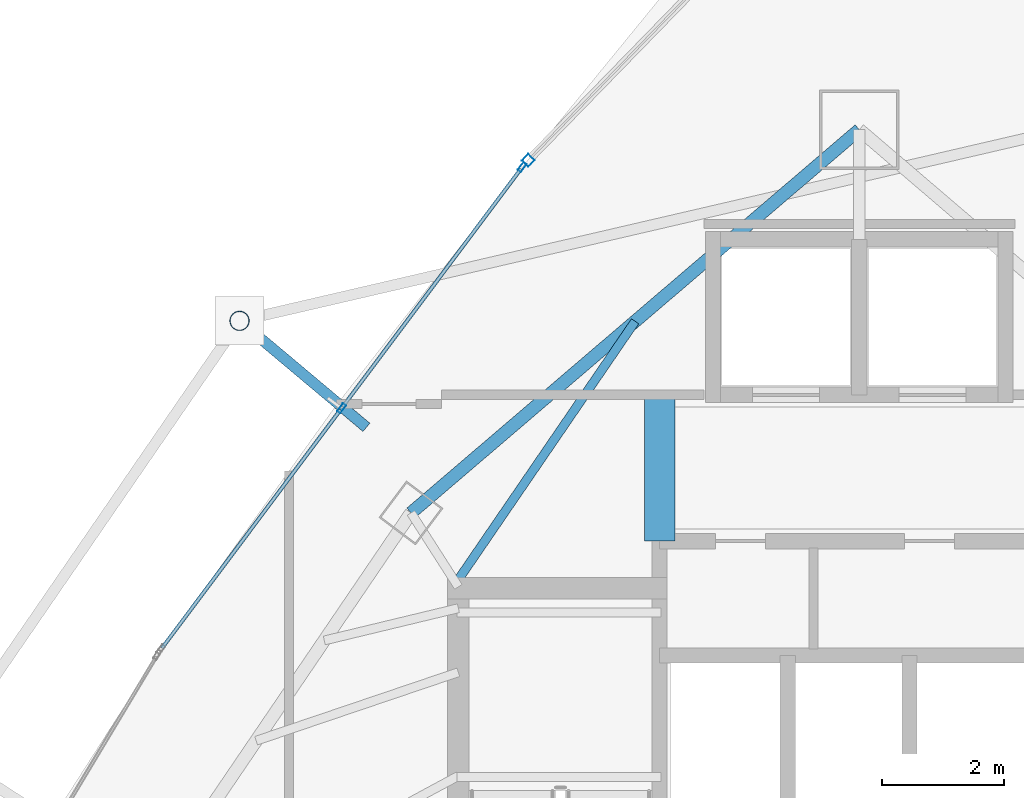
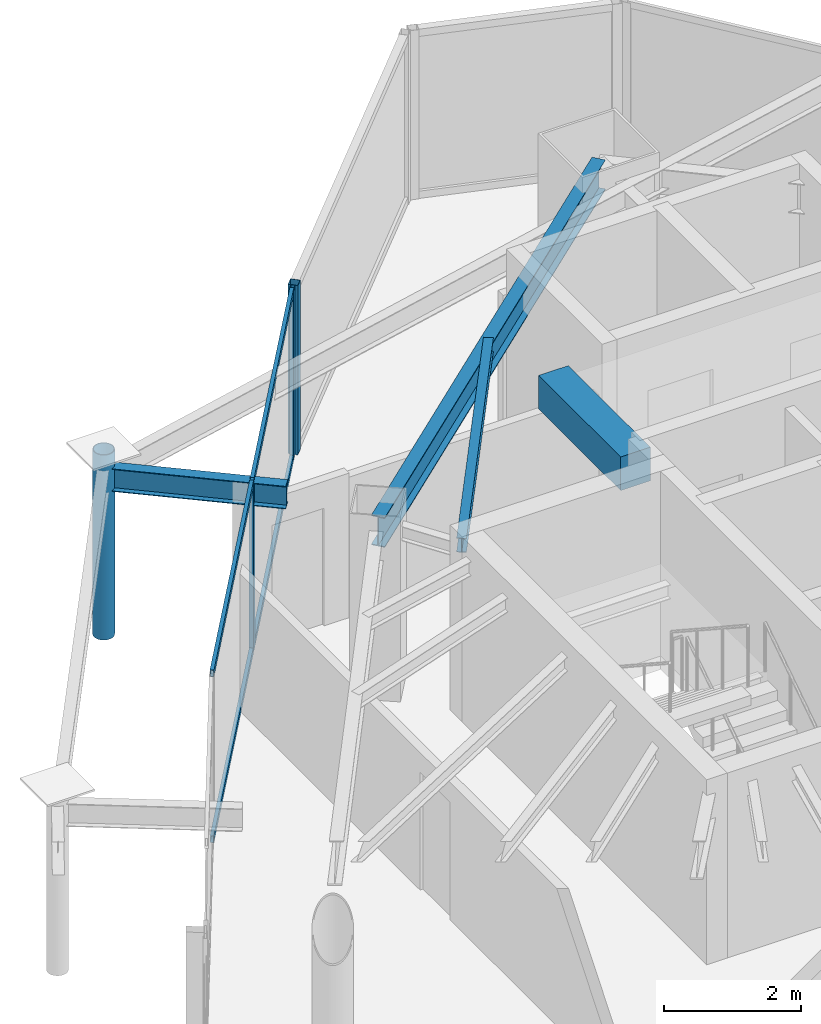
# One storey, part 21 of 30: 8 members, 4 beams, 2 elements without a shape of their own.
"""IFC4 building model written with IfcOpenShell, lengths in metres."""

from ifc_helpers import new_model, si_unit, direction, frame, origin, origin_2d, place, context, subcontext, project, spatial, rectangle, hollow_rectangle, hollow_circle, i_section, extrude, material, layer, layer_set, material_profile, profile_set, type_object, element, aggregate, save


model = new_model("IFC4")

# Units and contexts
model_context = context("Model", 3, precision=1e-05, world=origin(), true_north=direction((0.0, 1.0)))
body_context = subcontext(model_context, "Body", "Model", "MODEL_VIEW")
ifc_project = project(units=[si_unit("LENGTHUNIT", "METRE"), si_unit("AREAUNIT", "SQUARE_METRE"), si_unit("VOLUMEUNIT", "CUBIC_METRE"), si_unit("PLANEANGLEUNIT", "RADIAN"), si_unit("MASSUNIT", "GRAM", prefix="KILO")], contexts=[model_context])

# Site, building, storey
site_placement = place(None, origin())
site = spatial("IfcSite", under=ifc_project, at=site_placement, CompositionType="ELEMENT")
building_placement = place(site_placement, origin())
building = spatial("IfcBuilding", under=site, at=building_placement, Name="Orvanel Arch Residences", CompositionType="ELEMENT")
storey_placement = place(building_placement, frame((0.0, 0.0, 232.699951171875)))
storey = spatial("IfcBuildingStorey", under=building, at=storey_placement, Name="L66", CompositionType="ELEMENT", Elevation=232.699951171875)

# Beams
ifc_material_1 = material(Name="Structural steel AS/NZS 3679.1 Grade 300 (300 MPa)", Category="steel")
ifc_material_profile_1 = material_profile(ifc_material_1, i_section(OverallWidth=0.14599609375, OverallDepth=0.251953125, WebThickness=0.006103515625, FlangeThickness=0.008544921875, at=origin_2d()), Name="250UB31.4")
ifc_profile_set_1 = profile_set([ifc_material_profile_1], Name="Structural steel AS/NZS 3679.1 Grade 300 (300 MPa)")
beam_type_1 = type_object("IfcBeamType", Name="BJ-250UB", PredefinedType="JOIST", material=ifc_profile_set_1)
beam_1_placement = place(storey_placement, frame((26.425048828125, 34.02001953125, 2.89404296875), z_axis=(0.564868085352, 0.825181220188, 0.0), x_axis=(-0.825181220188, 0.564868085352, 0.0)))
element("IfcBeam", 1, at=beam_1_placement, inside=storey, type_object=beam_type_1, Name="L66 NNW2 Wing Floor Joist", PredefinedType="JOIST", context=body_context, shape_type="SweptSolid", body=[
    extrude(i_section(OverallWidth=0.14599609375, OverallDepth=0.251953125, WebThickness=0.006103515625, FlangeThickness=0.008544921875, at=origin_2d()), origin(), (0.0, 0.0, 1.0), 5.132080078125),
])
ifc_material_2 = material(Name="Concrete S65 (65 MPa)", Category="concrete")
ifc_material_profile_2 = material_profile(ifc_material_2, rectangle(XDim=0.5, YDim=0.60009765625, at=origin_2d()), Name="RC500x600")
ifc_profile_set_2 = profile_set([ifc_material_profile_2], Name="Concrete S65 (65 MPa)")
beam_type_2 = type_object("IfcBeamType", Name="CB-500x600", PredefinedType="LINTEL", material=ifc_profile_set_2)
beam_2_placement = place(storey_placement, frame((29.72509765625, 34.64990234375, 2.719970703125), z_axis=(0.0, 1.0, 0.0), x_axis=(-1.0, 0.0, 0.0)))
element("IfcBeam", 2, at=beam_2_placement, inside=storey, type_object=beam_type_2, Name="L66 West Core Lobby Coupling Lintel Beam", PredefinedType="LINTEL", context=body_context, shape_type="SweptSolid", body=[
    extrude(rectangle(XDim=0.5, YDim=0.60009765625, at=origin_2d()), origin(), (0.0, 0.0, 1.0), 2.400146484375),
])

# Curtain wall, member
ifc_material_3 = material(Name="Bronze-anodised aluminium AA6063-T6", Category="aluminium")
ifc_layer_1 = layer(ifc_material_3, 0.18994140625)
ifc_layer_set_1 = layer_set([ifc_layer_1], Name="Bronze-anodised aluminium AA6063-T6")
curtain_wall_type_1 = type_object("IfcCurtainWallType", Name="CW5-CRN-SYS", PredefinedType="NOTDEFINED", material=ifc_layer_set_1)
curtain_wall_1_placement = place(storey_placement, origin())
curtain_wall_1 = element("IfcCurtainWall", 3, at=curtain_wall_1_placement, inside=storey, type_object=curtain_wall_type_1, Name="L66 CW5-CRN-SYS Unitised Curtain Wall", PredefinedType="NOTDEFINED")
ifc_material_profile_3 = material_profile(ifc_material_3, hollow_rectangle(XDim=0.14990234375, YDim=0.14990234375, WallThickness=0.0048828125, at=origin_2d()), Name="ALU150x150x5")
ifc_profile_set_3 = profile_set([ifc_material_profile_3], Name="Bronze-anodised aluminium AA6063-T6")
member_type_1 = type_object("IfcMemberType", Name="MUL-150x150", PredefinedType="MULLION", material=ifc_profile_set_3)
member_1_placement = place(storey_placement, frame((27.5693359375, 40.893798828125, 0.0), z_axis=(0.0, 0.0, 1.0), x_axis=(0.716477049978, -0.697610662802, 0.0)))
member_1 = element("IfcMember", 4, at=member_1_placement, type_object=member_type_1, Name="CW-S5 mullion 2", PredefinedType="MULLION", context=body_context, shape_type="SweptSolid", body=[
    extrude(hollow_rectangle(XDim=0.14990234375, YDim=0.14990234375, WallThickness=0.0048828125, at=origin_2d()), origin(), (0.0, 0.0, 1.0), 3.02001953125),
])
aggregate(curtain_wall_1, [member_1])

# Curtain wall, members
ifc_layer_2 = layer(ifc_material_3, 0.175048828125)
ifc_layer_set_2 = layer_set([ifc_layer_2], Name="Bronze-anodised aluminium AA6063-T6")
curtain_wall_type_2 = type_object("IfcCurtainWallType", Name="CW4-HI-SYS", PredefinedType="NOTDEFINED", material=ifc_layer_set_2)
curtain_wall_2_placement = place(storey_placement, origin())
curtain_wall_2 = element("IfcCurtainWall", 5, at=curtain_wall_2_placement, inside=storey, type_object=curtain_wall_type_2, Name="L66 CW4-HI-SYS Unitised Curtain Wall", PredefinedType="NOTDEFINED")
ifc_material_profile_4 = material_profile(ifc_material_3, hollow_rectangle(XDim=0.06494140625, YDim=0.159912109375, WallThickness=0.00390625, at=origin_2d()), Name="ALU160x65x4")
ifc_profile_set_4 = profile_set([ifc_material_profile_4], Name="Bronze-anodised aluminium AA6063-T6")
member_type_2 = type_object("IfcMemberType", Name="MUL-160x65", PredefinedType="MULLION", material=ifc_profile_set_4)
member_2_placement = place(storey_placement, frame((27.471435546875, 40.783935546875, 0.0), z_axis=(0.0, 0.0, 1.0), x_axis=(0.800385756327, -0.599485313473, 0.0)))
member_2 = element("IfcMember", 6, at=member_2_placement, type_object=member_type_2, Name="CW-S4 mullion 1", PredefinedType="MULLION", context=body_context, shape_type="SweptSolid", body=[
    extrude(hollow_rectangle(XDim=0.06494140625, YDim=0.159912109375, WallThickness=0.00390625, at=origin_2d()), origin(), (0.0, 0.0, 1.0), 3.02001953125),
])
member_3_placement = place(storey_placement, frame((24.508544921875, 36.827880859375, 0.0), z_axis=(0.0, 0.0, 1.0), x_axis=(0.800385756327, -0.599485313473, 0.0)))
member_3 = element("IfcMember", 7, at=member_3_placement, type_object=member_type_2, Name="CW-S4 mullion 2", PredefinedType="MULLION", context=body_context, shape_type="SweptSolid", body=[
    extrude(hollow_rectangle(XDim=0.06494140625, YDim=0.159912109375, WallThickness=0.00390625, at=origin_2d()), origin(), (0.0, 0.0, 1.0), 3.02001953125),
])

# Beams
ifc_material_profile_5 = material_profile(ifc_material_1, i_section(OverallWidth=0.177978515625, OverallDepth=0.406005859375, WebThickness=0.0078125, FlangeThickness=0.0126953125, at=origin_2d()), Name="410UB59.7")
ifc_profile_set_5 = profile_set([ifc_material_profile_5], Name="Structural steel AS/NZS 3679.1 Grade 300 (300 MPa)")
beam_type_3 = type_object("IfcBeamType", Name="OB-410UB-EXT", PredefinedType="SPANDREL", material=ifc_profile_set_5)
beam_3_placement = place(storey_placement, frame((24.9169921875, 36.51611328125, 2.817138671875), z_axis=(-0.765933165597, 0.642920201765, 0.0), x_axis=(-0.642920201765, -0.765933165597, 0.0)))
element("IfcBeam", 8, at=beam_3_placement, inside=storey, type_object=beam_type_3, Name="L66 Outer Frame Radial Tie Beam 01", PredefinedType="SPANDREL", context=body_context, shape_type="SweptSolid", body=[
    extrude(i_section(OverallWidth=0.177978515625, OverallDepth=0.406005859375, WebThickness=0.0078125, FlangeThickness=0.0126953125, at=origin_2d()), origin(), (0.0, 0.0, 1.0), 2.717041015625),
])
ifc_material_profile_6 = material_profile(ifc_material_1, i_section(OverallWidth=0.208984375, OverallDepth=0.532958984375, WebThickness=0.01025390625, FlangeThickness=0.015625, at=origin_2d()), Name="530UB92.4")
ifc_profile_set_6 = profile_set([ifc_material_profile_6], Name="Structural steel AS/NZS 3679.1 Grade 300 (300 MPa)")
beam_type_4 = type_object("IfcBeamType", Name="SP-530UB", PredefinedType="SPANDREL", material=ifc_profile_set_6)
beam_4_placement = place(storey_placement, frame((33.0, 41.39794921875, 2.7529296875), z_axis=(-0.760116518398, -0.649786794617, 0.0), x_axis=(0.649786794617, -0.760116518398, 0.0)))
element("IfcBeam", 9, at=beam_4_placement, inside=storey, type_object=beam_type_4, Name="L66 Perimeter Spandrel Beam 10", PredefinedType="SPANDREL", context=body_context, shape_type="SweptSolid", body=[
    extrude(i_section(OverallWidth=0.208984375, OverallDepth=0.532958984375, WebThickness=0.01025390625, FlangeThickness=0.015625, at=origin_2d()), origin(), (0.0, 0.0, 1.0), 9.67236328125),
])

# Member
ifc_material_4 = material(Name="Structural steel AS/NZS 1163 C350L0 (Grade 350)", Category="steel")
ifc_material_profile_7 = material_profile(ifc_material_4, hollow_circle(Radius=0.162109375, WallThickness=0.0126953125, at=origin_2d()), Name="CHS324x12.7")
ifc_profile_set_7 = profile_set([ifc_material_profile_7], Name="Structural steel AS/NZS 1163 C350L0 (Grade 350)")
member_type_3 = type_object("IfcMemberType", Name="ST-324CHS-EXT", PredefinedType="STRUT", material=ifc_profile_set_7)
member_4_placement = place(storey_placement, frame((22.8359375, 38.262939453125, 0.0), z_axis=(0.0, 0.0, 1.0), x_axis=(1.0, 0.0, 0.0)))
element("IfcMember", 10, at=member_4_placement, inside=storey, type_object=member_type_3, Name="L66 Outer Perimeter Frame Post 01", PredefinedType="STRUT", context=body_context, shape_type="SweptSolid", body=[
    extrude(hollow_circle(Radius=0.162109375, WallThickness=0.0126953125, at=origin_2d()), origin(), (0.0, 0.0, 1.0), 3.300048828125),
])

ifc_material_profile_8 = material_profile(ifc_material_3, hollow_rectangle(XDim=0.06005859375, YDim=0.1201171875, WallThickness=0.00341796875, at=origin_2d()), Name="ALU120x60x3.5")
ifc_profile_set_8 = profile_set([ifc_material_profile_8], Name="Bronze-anodised aluminium AA6063-T6")
member_type_4 = type_object("IfcMemberType", Name="TRN-120x60", PredefinedType="USERDEFINED", material=ifc_profile_set_8)
member_5_placement = place(storey_placement, frame((27.4521484375, 40.758056640625, 0.030029296875), z_axis=(-0.59947932652, -0.800390240492, 0.0), x_axis=(0.800390240492, -0.59947932652, 0.0)))
member_5 = element("IfcMember", 11, at=member_5_placement, type_object=member_type_4, Name="CW-S4 transom 1.1", ObjectType="TRANSOM", PredefinedType="USERDEFINED", context=body_context, shape_type="SweptSolid", body=[
    extrude(hollow_rectangle(XDim=0.06005859375, YDim=0.1201171875, WallThickness=0.00341796875, at=origin_2d()), origin(), (0.0, 0.0, 1.0), 4.877685546875),
])

member_6_placement = place(storey_placement, frame((27.4521484375, 40.758056640625, 2.989990234375), z_axis=(-0.59947932652, -0.800390240492, 0.0), x_axis=(0.800390240492, -0.59947932652, 0.0)))
member_6 = element("IfcMember", 12, at=member_6_placement, type_object=member_type_4, Name="CW-S4 transom 1.2", ObjectType="TRANSOM", PredefinedType="USERDEFINED", context=body_context, shape_type="SweptSolid", body=[
    extrude(hollow_rectangle(XDim=0.06005859375, YDim=0.1201171875, WallThickness=0.00341796875, at=origin_2d()), origin(), (0.0, 0.0, 1.0), 4.877685546875),
])

member_7_placement = place(storey_placement, frame((24.489013671875, 36.802001953125, 0.030029296875), z_axis=(-0.59947932652, -0.800390240492, 0.0), x_axis=(0.800390240492, -0.59947932652, 0.0)))
member_7 = element("IfcMember", 13, at=member_7_placement, type_object=member_type_4, Name="CW-S4 transom 2.1", ObjectType="TRANSOM", PredefinedType="USERDEFINED", context=body_context, shape_type="SweptSolid", body=[
    extrude(hollow_rectangle(XDim=0.06005859375, YDim=0.1201171875, WallThickness=0.00341796875, at=origin_2d()), origin(), (0.0, 0.0, 1.0), 4.877685546875),
])

member_8_placement = place(storey_placement, frame((24.489013671875, 36.802001953125, 2.989990234375), z_axis=(-0.59947932652, -0.800390240492, 0.0), x_axis=(0.800390240492, -0.59947932652, 0.0)))
member_8 = element("IfcMember", 14, at=member_8_placement, type_object=member_type_4, Name="CW-S4 transom 2.2", ObjectType="TRANSOM", PredefinedType="USERDEFINED", context=body_context, shape_type="SweptSolid", body=[
    extrude(hollow_rectangle(XDim=0.06005859375, YDim=0.1201171875, WallThickness=0.00341796875, at=origin_2d()), origin(), (0.0, 0.0, 1.0), 4.877685546875),
])

aggregate(curtain_wall_2, [member_2, member_3, member_5, member_6, member_7, member_8])

save(model, "model.ifc")
